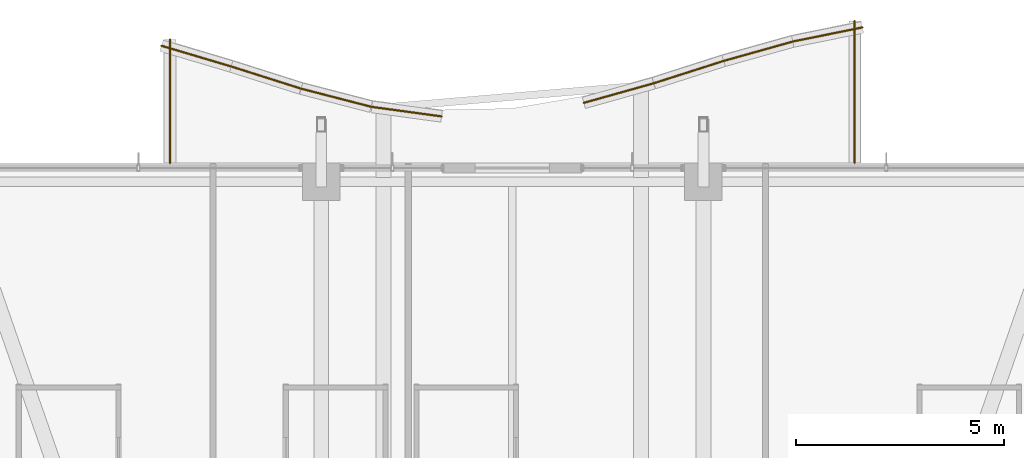
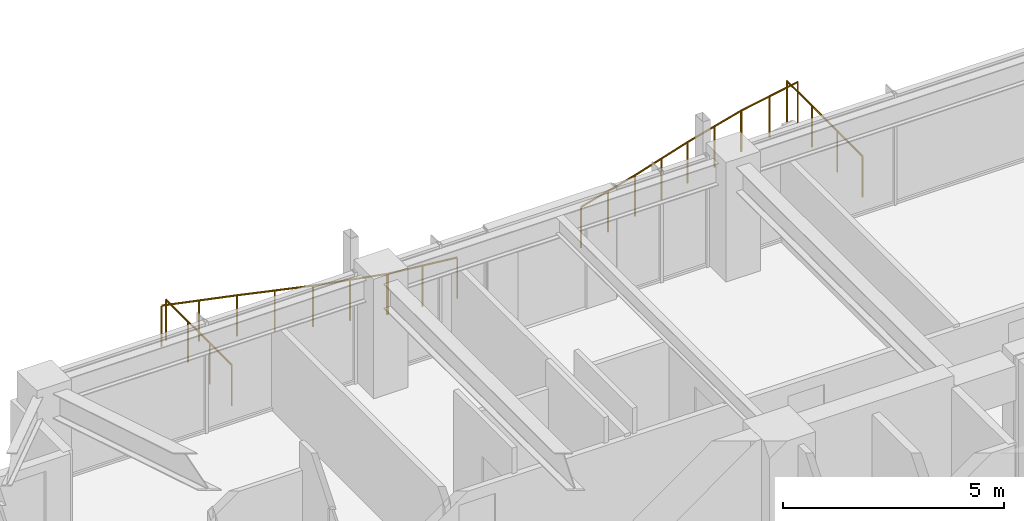
# One storey, part 37 of 37: 10 railings.
"""IFC4 building model written with IfcOpenShell, lengths in metres."""

from ifc_helpers import new_model, si_unit, direction, frame, origin, origin_2d, place, context, subcontext, project, spatial, circle, extrude, material, type_object, element, save


model = new_model("IFC4")

# Units and contexts
model_context = context("Model", 3, precision=1e-05, world=origin(), true_north=direction((0.0, 1.0)))
body_context = subcontext(model_context, "Body", "Model", "MODEL_VIEW")
ifc_project = project(units=[si_unit("LENGTHUNIT", "METRE"), si_unit("AREAUNIT", "SQUARE_METRE"), si_unit("VOLUMEUNIT", "CUBIC_METRE"), si_unit("PLANEANGLEUNIT", "RADIAN"), si_unit("MASSUNIT", "GRAM", prefix="KILO")], contexts=[model_context])

# Site, building, storey
site_placement = place(None, origin())
site = spatial("IfcSite", under=ifc_project, at=site_placement, CompositionType="ELEMENT")
building_placement = place(site_placement, origin())
building = spatial("IfcBuilding", under=site, at=building_placement, Name="Kolvaren Belvedere", CompositionType="ELEMENT")
storey_placement = place(building_placement, frame((0.0, 0.0, 180.0)))
storey = spatial("IfcBuildingStorey", under=building, at=storey_placement, Name="L52", CompositionType="ELEMENT", Elevation=180.0)

# Railings
ifc_material = material(Name="Anodised pale-metal aluminium & laminated glass guard", Category="aluminium")
railing_type = type_object("IfcRailingType", Name="RL-GUARD-1150", PredefinedType="GUARDRAIL", material=ifc_material)
railing_1_placement = place(storey_placement, frame((8.239990234375, 20.39990234375, 0.3798828125)))
element("IfcRailing", 1, at=railing_1_placement, inside=storey, type_object=railing_type, Name="L52 Exterior Deck Safety Guard BAL-N-11", PredefinedType="GUARDRAIL", context=body_context, shape_type="SweptSolid", body=[
    extrude(circle(Radius=0.02392578125, at=origin_2d()), frame((0.0, 0.0, 1.1259765625), z_axis=(0.0, 1.0, 0.0), x_axis=(-1.0, 0.0, 0.0)), (0.0, 0.0, 1.0), 3.420166015625),
    extrude(circle(Radius=0.02099609375, at=origin_2d()), origin(), (0.0, 0.0, 1.0), 1.101806640625),
    extrude(circle(Radius=0.02099609375, at=origin_2d()), frame((0.0, 1.14013671875, 0.0)), (0.0, 0.0, 1.0), 1.101806640625),
    extrude(circle(Radius=0.02099609375, at=origin_2d()), frame((0.0, 2.280029296875, 0.0)), (0.0, 0.0, 1.0), 1.101806640625),
    extrude(circle(Radius=0.02099609375, at=origin_2d()), frame((0.0, 3.420166015625, 0.0)), (0.0, 0.0, 1.0), 1.101806640625),
])
railing_2_placement = place(storey_placement, frame((8.431884765625, 23.6630859375, 0.3798828125)))
element("IfcRailing", 2, at=railing_2_placement, inside=storey, type_object=railing_type, Name="L52 Exterior Deck Safety Guard BAL-N-12", PredefinedType="GUARDRAIL", context=body_context, shape_type="SweptSolid", body=[
    extrude(circle(Radius=0.02392578125, at=origin_2d()), frame((0.0, 0.0, 1.1259765625), z_axis=(-0.980067977123, -0.198662427795, 0.0), x_axis=(0.198662427795, -0.980067977123, 0.0)), (0.0, 0.0, 1.0), 1.71435546875),
    extrude(circle(Radius=0.02099609375, at=origin_2d()), origin(), (0.0, 0.0, 1.0), 1.101806640625),
    extrude(circle(Radius=0.02099609375, at=origin_2d()), frame((-0.840087890625, -0.17041015625, 0.0)), (0.0, 0.0, 1.0), 1.101806640625),
    extrude(circle(Radius=0.02099609375, at=origin_2d()), frame((-1.68017578125, -0.340576171875, 0.0)), (0.0, 0.0, 1.0), 1.101806640625),
])
railing_3_placement = place(storey_placement, frame((6.76318359375, 23.3251953125, 0.3798828125)))
element("IfcRailing", 3, at=railing_3_placement, inside=storey, type_object=railing_type, Name="L52 Exterior Deck Safety Guard BAL-N-13", PredefinedType="GUARDRAIL", context=body_context, shape_type="SweptSolid", body=[
    extrude(circle(Radius=0.02392578125, at=origin_2d()), frame((0.0, 0.0, 1.1259765625), z_axis=(-0.962916043401, -0.269801210823, 0.0), x_axis=(0.269801210823, -0.962916043401, 0.0)), (0.0, 0.0, 1.0), 1.74462890625),
    extrude(circle(Radius=0.02099609375, at=origin_2d()), origin(), (0.0, 0.0, 1.0), 1.101806640625),
    extrude(circle(Radius=0.02099609375, at=origin_2d()), frame((-0.83984375, -0.2353515625, 0.0)), (0.0, 0.0, 1.0), 1.101806640625),
    extrude(circle(Radius=0.02099609375, at=origin_2d()), frame((-1.679931640625, -0.470703125, 0.0)), (0.0, 0.0, 1.0), 1.101806640625),
])
railing_4_placement = place(storey_placement, frame((5.088623046875, 22.856201171875, 0.3798828125)))
element("IfcRailing", 4, at=railing_4_placement, inside=storey, type_object=railing_type, Name="L52 Exterior Deck Safety Guard BAL-N-14", PredefinedType="GUARDRAIL", context=body_context, shape_type="SweptSolid", body=[
    extrude(circle(Radius=0.02392578125, at=origin_2d()), frame((0.0, 0.0, 1.1259765625), z_axis=(-0.952501264923, -0.304534629099, 0.0), x_axis=(0.304534629099, -0.952501264923, 0.0)), (0.0, 0.0, 1.0), 1.763671875),
    extrude(circle(Radius=0.02099609375, at=origin_2d()), origin(), (0.0, 0.0, 1.0), 1.101806640625),
    extrude(circle(Radius=0.02099609375, at=origin_2d()), frame((-0.83984375, -0.2685546875, 0.0)), (0.0, 0.0, 1.0), 1.101806640625),
    extrude(circle(Radius=0.02099609375, at=origin_2d()), frame((-1.679931640625, -0.537109375, 0.0)), (0.0, 0.0, 1.0), 1.101806640625),
])
railing_5_placement = place(storey_placement, frame((3.4033203125, 22.3173828125, 0.3798828125)))
element("IfcRailing", 5, at=railing_5_placement, inside=storey, type_object=railing_type, Name="L52 Exterior Deck Safety Guard BAL-N-15", PredefinedType="GUARDRAIL", context=body_context, shape_type="SweptSolid", body=[
    extrude(circle(Radius=0.02392578125, at=origin_2d()), frame((0.0, 0.0, 1.1259765625), z_axis=(-0.962926227834, -0.269764860108, 0.0), x_axis=(0.269764860108, -0.962926227834, 0.0)), (0.0, 0.0, 1.0), 1.744873046875),
    extrude(circle(Radius=0.02099609375, at=origin_2d()), origin(), (0.0, 0.0, 1.0), 1.101806640625),
    extrude(circle(Radius=0.02099609375, at=origin_2d()), frame((-0.840087890625, -0.2353515625, 0.0)), (0.0, 0.0, 1.0), 1.101806640625),
    extrude(circle(Radius=0.02099609375, at=origin_2d()), frame((-1.68017578125, -0.470703125, 0.0)), (0.0, 0.0, 1.0), 1.101806640625),
])
railing_6_placement = place(storey_placement, frame((-1.70166015625, 21.5205078125, 0.3798828125)))
element("IfcRailing", 6, at=railing_6_placement, inside=storey, type_object=railing_type, Name="L52 Exterior Deck Safety Guard BAL-N-18", PredefinedType="GUARDRAIL", context=body_context, shape_type="SweptSolid", body=[
    extrude(circle(Radius=0.02392578125, at=origin_2d()), frame((0.0, 0.0, 1.1259765625), z_axis=(-0.990855562068, 0.134926850989, 0.0), x_axis=(-0.134926850989, -0.990855562068, 0.0)), (0.0, 0.0, 1.0), 1.695556640625),
    extrude(circle(Radius=0.02099609375, at=origin_2d()), origin(), (0.0, 0.0, 1.0), 1.101806640625),
    extrude(circle(Radius=0.02099609375, at=origin_2d()), frame((-0.83984375, 0.1142578125, 0.0)), (0.0, 0.0, 1.0), 1.101806640625),
    extrude(circle(Radius=0.02099609375, at=origin_2d()), frame((-1.679931640625, 0.228759765625, 0.0)), (0.0, 0.0, 1.0), 1.101806640625),
])
railing_7_placement = place(storey_placement, frame((-3.400146484375, 21.7529296875, 0.3798828125)))
element("IfcRailing", 7, at=railing_7_placement, inside=storey, type_object=railing_type, Name="L52 Exterior Deck Safety Guard BAL-N-19", PredefinedType="GUARDRAIL", context=body_context, shape_type="SweptSolid", body=[
    extrude(circle(Radius=0.02392578125, at=origin_2d()), frame((0.0, 0.0, 1.1259765625), z_axis=(-0.968132209145, 0.250439664624, 0.0), x_axis=(-0.250439664624, -0.968132209145, 0.0)), (0.0, 0.0, 1.0), 1.7353515625),
    extrude(circle(Radius=0.02099609375, at=origin_2d()), origin(), (0.0, 0.0, 1.0), 1.101806640625),
    extrude(circle(Radius=0.02099609375, at=origin_2d()), frame((-0.83984375, 0.21728515625, 0.0)), (0.0, 0.0, 1.0), 1.101806640625),
    extrude(circle(Radius=0.02099609375, at=origin_2d()), frame((-1.679931640625, 0.4345703125, 0.0)), (0.0, 0.0, 1.0), 1.101806640625),
])
railing_8_placement = place(storey_placement, frame((-5.08837890625, 22.18994140625, 0.3798828125)))
element("IfcRailing", 8, at=railing_8_placement, inside=storey, type_object=railing_type, Name="L52 Exterior Deck Safety Guard BAL-N-20", PredefinedType="GUARDRAIL", context=body_context, shape_type="SweptSolid", body=[
    extrude(circle(Radius=0.02392578125, at=origin_2d()), frame((0.0, 0.0, 1.1259765625), z_axis=(-0.953181954832, 0.302397356111, 0.0), x_axis=(-0.302397356111, -0.953181954832, 0.0)), (0.0, 0.0, 1.0), 1.762451171875),
    extrude(circle(Radius=0.02099609375, at=origin_2d()), origin(), (0.0, 0.0, 1.0), 1.101806640625),
    extrude(circle(Radius=0.02099609375, at=origin_2d()), frame((-0.83984375, 0.2666015625, 0.0)), (0.0, 0.0, 1.0), 1.101806640625),
    extrude(circle(Radius=0.02099609375, at=origin_2d()), frame((-1.679931640625, 0.532958984375, 0.0)), (0.0, 0.0, 1.0), 1.101806640625),
])
railing_9_placement = place(storey_placement, frame((-6.765625, 22.721923828125, 0.3798828125)))
element("IfcRailing", 9, at=railing_9_placement, inside=storey, type_object=railing_type, Name="L52 Exterior Deck Safety Guard BAL-N-21", PredefinedType="GUARDRAIL", context=body_context, shape_type="SweptSolid", body=[
    extrude(circle(Radius=0.02392578125, at=origin_2d()), frame((0.0, 0.0, 1.1259765625), z_axis=(-0.958525043221, 0.28500831833, 0.0), x_axis=(-0.28500831833, -0.958525043221, 0.0)), (0.0, 0.0, 1.0), 1.752685546875),
    extrude(circle(Radius=0.02099609375, at=origin_2d()), origin(), (0.0, 0.0, 1.0), 1.101806640625),
    extrude(circle(Radius=0.02099609375, at=origin_2d()), frame((-0.83984375, 0.249755859375, 0.0)), (0.0, 0.0, 1.0), 1.101806640625),
    extrude(circle(Radius=0.02099609375, at=origin_2d()), frame((-1.679931640625, 0.49951171875, 0.0)), (0.0, 0.0, 1.0), 1.101806640625),
])
railing_10_placement = place(storey_placement, frame((-8.239990234375, 23.374755859375, 0.3798828125)))
element("IfcRailing", 10, at=railing_10_placement, inside=storey, type_object=railing_type, Name="L52 Exterior Deck Safety Guard BAL-N-22", PredefinedType="GUARDRAIL", context=body_context, shape_type="SweptSolid", body=[
    extrude(circle(Radius=0.02392578125, at=origin_2d()), frame((0.0, 0.0, 1.1259765625), z_axis=(0.0, -1.0, 0.0), x_axis=(1.0, 0.0, 0.0)), (0.0, 0.0, 1.0), 2.974853515625),
    extrude(circle(Radius=0.02099609375, at=origin_2d()), origin(), (0.0, 0.0, 1.0), 1.101806640625),
    extrude(circle(Radius=0.02099609375, at=origin_2d()), frame((0.0, -0.99169921875, 0.0)), (0.0, 0.0, 1.0), 1.101806640625),
    extrude(circle(Radius=0.02099609375, at=origin_2d()), frame((0.0, -1.983154296875, 0.0)), (0.0, 0.0, 1.0), 1.101806640625),
    extrude(circle(Radius=0.02099609375, at=origin_2d()), frame((0.0, -2.974853515625, 0.0)), (0.0, 0.0, 1.0), 1.101806640625),
])

save(model, "model.ifc")
